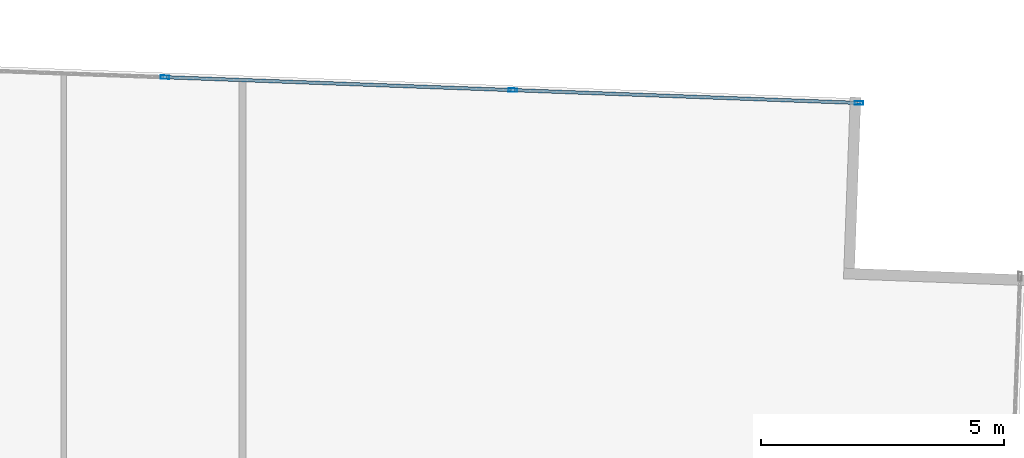
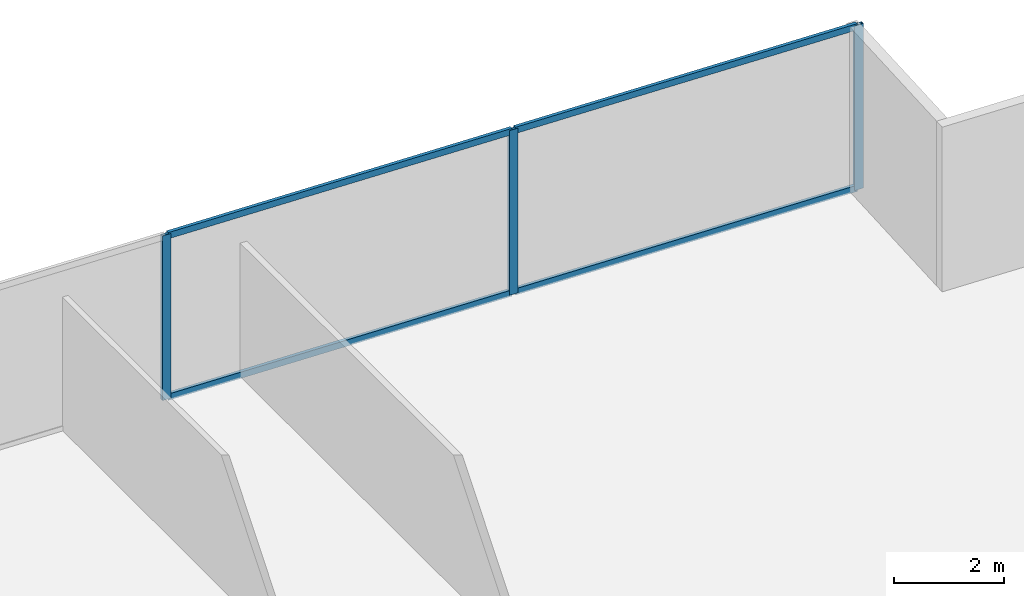
# One storey, part 25 of 30: 7 members, 1 element without a shape of its own.
"""IFC4 building model written with IfcOpenShell, lengths in metres."""

from ifc_helpers import new_model, si_unit, direction, frame, origin, origin_2d, place, context, subcontext, project, spatial, hollow_rectangle, extrude, source, transform, mapped, material, material_profile, profile_set, type_object, type_shapes, element, aggregate, save


model = new_model("IFC4")

# Units and contexts
model_context = context("Model", 3, precision=1e-05, world=origin(), true_north=direction((0.0, 1.0)))
body_context = subcontext(model_context, "Body", "Model", "MODEL_VIEW")
ifc_project = project(units=[si_unit("LENGTHUNIT", "METRE"), si_unit("AREAUNIT", "SQUARE_METRE"), si_unit("VOLUMEUNIT", "CUBIC_METRE"), si_unit("PLANEANGLEUNIT", "RADIAN"), si_unit("MASSUNIT", "GRAM", prefix="KILO")], contexts=[model_context])

# Site, building, storey
site_placement = place(None, origin())
site = spatial("IfcSite", under=ifc_project, at=site_placement, CompositionType="ELEMENT")
building_placement = place(site_placement, origin())
building = spatial("IfcBuilding", under=site, at=building_placement, Name="Krantzveldt Concourse Tower", CompositionType="ELEMENT")
storey_placement = place(building_placement, frame((0.0, 0.0, 44.75)))
storey = spatial("IfcBuildingStorey", under=building, at=storey_placement, Name="L10", CompositionType="ELEMENT", Elevation=44.75)

# Curtain wall, members
ifc_material = material(Name="Anodised aluminium 6063-T6", Category="aluminium")
curtain_wall_type = type_object("IfcCurtainWallType", Name="CW2", PredefinedType="USERDEFINED", material=ifc_material)
curtain_wall_placement = place(storey_placement, origin())
curtain_wall = element("IfcCurtainWall", 1, at=curtain_wall_placement, inside=storey, type_object=curtain_wall_type, Name="CW-L10-F10", ObjectType="UNITISED CURTAIN WALL", PredefinedType="USERDEFINED")
ifc_material_profile_1 = material_profile(ifc_material, hollow_rectangle(XDim=0.070068359375, YDim=0.179931640625, WallThickness=0.0048828125, at=origin_2d()), Name="Anodised aluminium 6063-T6", Category="aluminium")
ifc_profile_set_1 = profile_set([ifc_material_profile_1], Name="Anodised aluminium 6063-T6 - ALU-MULL 180x70x5")
member_type_1 = type_object("IfcMemberType", Name="CW-MUL-180", PredefinedType="MULLION", material=ifc_profile_set_1)
shared_shape_1 = source(origin(), body_context, "Body", "SweptSolid", [
    extrude(hollow_rectangle(XDim=0.070068359375, YDim=0.179931640625, WallThickness=0.0048828125, at=origin_2d()), origin(), (0.0, 0.0, 1.0), 3.669921875),
])
type_shapes(member_type_1, [shared_shape_1])
member_1_placement = place(storey_placement, frame((58.373779296875, 50.796875, 0.0), z_axis=(0.0, 0.0, 1.0), x_axis=(-0.037079766834, -0.999312308986, 0.0)))
member_1 = element("IfcMember", 2, at=member_1_placement, type_object=member_type_1, Name="CW-Z12 mullion 1", PredefinedType="MULLION", context=body_context, shape_type="MappedRepresentation", body=[
    mapped(shared_shape_1, transform((0.0, 0.0, 0.0), x_axis=(1.0, 0.0, 0.0), y_axis=(0.0, 1.0, 0.0), z_axis=(0.0, 0.0, 1.0), scale=1.0)),
])
member_2_placement = place(storey_placement, frame((51.2470703125, 51.061279296875, 0.0), z_axis=(0.0, 0.0, 1.0), x_axis=(-0.037079766834, -0.999312308986, 0.0)))
member_2 = element("IfcMember", 3, at=member_2_placement, type_object=member_type_1, Name="CW-Z12 mullion 2", PredefinedType="MULLION", context=body_context, shape_type="MappedRepresentation", body=[
    mapped(shared_shape_1, transform((0.0, 0.0, 0.0), x_axis=(1.0, 0.0, 0.0), y_axis=(0.0, 1.0, 0.0), z_axis=(0.0, 0.0, 1.0), scale=1.0)),
])
member_3_placement = place(storey_placement, frame((44.08544921875, 51.3271484375, 0.0), z_axis=(0.0, 0.0, 1.0), x_axis=(-0.037079766834, -0.999312308986, 0.0)))
member_3 = element("IfcMember", 4, at=member_3_placement, type_object=member_type_1, Name="CW-Z12 mullion 3", PredefinedType="MULLION", context=body_context, shape_type="MappedRepresentation", body=[
    mapped(shared_shape_1, transform((0.0, 0.0, 0.0), x_axis=(1.0, 0.0, 0.0), y_axis=(0.0, 1.0, 0.0), z_axis=(0.0, 0.0, 1.0), scale=1.0)),
])
ifc_material_profile_2 = material_profile(ifc_material, hollow_rectangle(XDim=0.070068359375, YDim=0.139892578125, WallThickness=0.0048828125, at=origin_2d()), Name="Anodised aluminium 6063-T6", Category="aluminium")
ifc_profile_set_2 = profile_set([ifc_material_profile_2], Name="Anodised aluminium 6063-T6 - ALU-TRAN 140x70x5")
member_type_2 = type_object("IfcMemberType", Name="CW-TRN-150", PredefinedType="USERDEFINED", material=ifc_profile_set_2)
shared_shape_2 = source(origin(), body_context, "Body", "SweptSolid", [
    extrude(hollow_rectangle(XDim=0.070068359375, YDim=0.139892578125, WallThickness=0.0048828125, at=origin_2d()), origin(), (0.0, 0.0, 1.0), 7.0615234375),
])
member_4_placement = place(storey_placement, frame((58.3388671875, 50.79833984375, 0.034912109375), z_axis=(-0.999312938018, 0.037062810322, 0.0), x_axis=(-0.037062810322, -0.999312938018, 0.0)))
member_4 = element("IfcMember", 5, at=member_4_placement, type_object=member_type_2, Name="CW-Z12 transom 1.1", ObjectType="TRANSOM", PredefinedType="USERDEFINED", context=body_context, shape_type="MappedRepresentation", body=[
    mapped(shared_shape_2, transform((0.0, 0.0, 0.0), x_axis=(1.0, 0.0, 0.0), y_axis=(0.0, 1.0, 0.0), z_axis=(0.0, 0.0, 1.0), scale=1.0)),
])
member_5_placement = place(storey_placement, frame((58.3388671875, 50.79833984375, 3.635009765625), z_axis=(-0.999312938018, 0.037062810322, 0.0), x_axis=(-0.037062810322, -0.999312938018, 0.0)))
member_5 = element("IfcMember", 6, at=member_5_placement, type_object=member_type_2, Name="CW-Z12 transom 1.2", ObjectType="TRANSOM", PredefinedType="USERDEFINED", context=body_context, shape_type="MappedRepresentation", body=[
    mapped(shared_shape_2, transform((0.0, 0.0, 0.0), x_axis=(1.0, 0.0, 0.0), y_axis=(0.0, 1.0, 0.0), z_axis=(0.0, 0.0, 1.0), scale=1.0)),
])
shared_shape_3 = source(origin(), body_context, "Body", "SweptSolid", [
    extrude(hollow_rectangle(XDim=0.070068359375, YDim=0.139892578125, WallThickness=0.0048828125, at=origin_2d()), origin(), (0.0, 0.0, 1.0), 7.0966796875),
])
type_shapes(member_type_2, [shared_shape_2, shared_shape_3])
member_6_placement = place(storey_placement, frame((51.212158203125, 51.062744140625, 0.034912109375), z_axis=(-0.999312097724, 0.037085459975, 0.0), x_axis=(-0.037085459975, -0.999312097724, 0.0)))
member_6 = element("IfcMember", 7, at=member_6_placement, type_object=member_type_2, Name="CW-Z12 transom 2.1", ObjectType="TRANSOM", PredefinedType="USERDEFINED", context=body_context, shape_type="MappedRepresentation", body=[
    mapped(shared_shape_3, transform((0.0, 0.0, 0.0), x_axis=(1.0, 0.0, 0.0), y_axis=(0.0, 1.0, 0.0), z_axis=(0.0, 0.0, 1.0), scale=1.0)),
])
member_7_placement = place(storey_placement, frame((51.212158203125, 51.062744140625, 3.635009765625), z_axis=(-0.999312097724, 0.037085459975, 0.0), x_axis=(-0.037085459975, -0.999312097724, 0.0)))
member_7 = element("IfcMember", 8, at=member_7_placement, type_object=member_type_2, Name="CW-Z12 transom 2.2", ObjectType="TRANSOM", PredefinedType="USERDEFINED", context=body_context, shape_type="MappedRepresentation", body=[
    mapped(shared_shape_3, transform((0.0, 0.0, 0.0), x_axis=(1.0, 0.0, 0.0), y_axis=(0.0, 1.0, 0.0), z_axis=(0.0, 0.0, 1.0), scale=1.0)),
])
aggregate(curtain_wall, [member_1, member_2, member_3, member_4, member_5, member_6, member_7])

save(model, "model.ifc")
